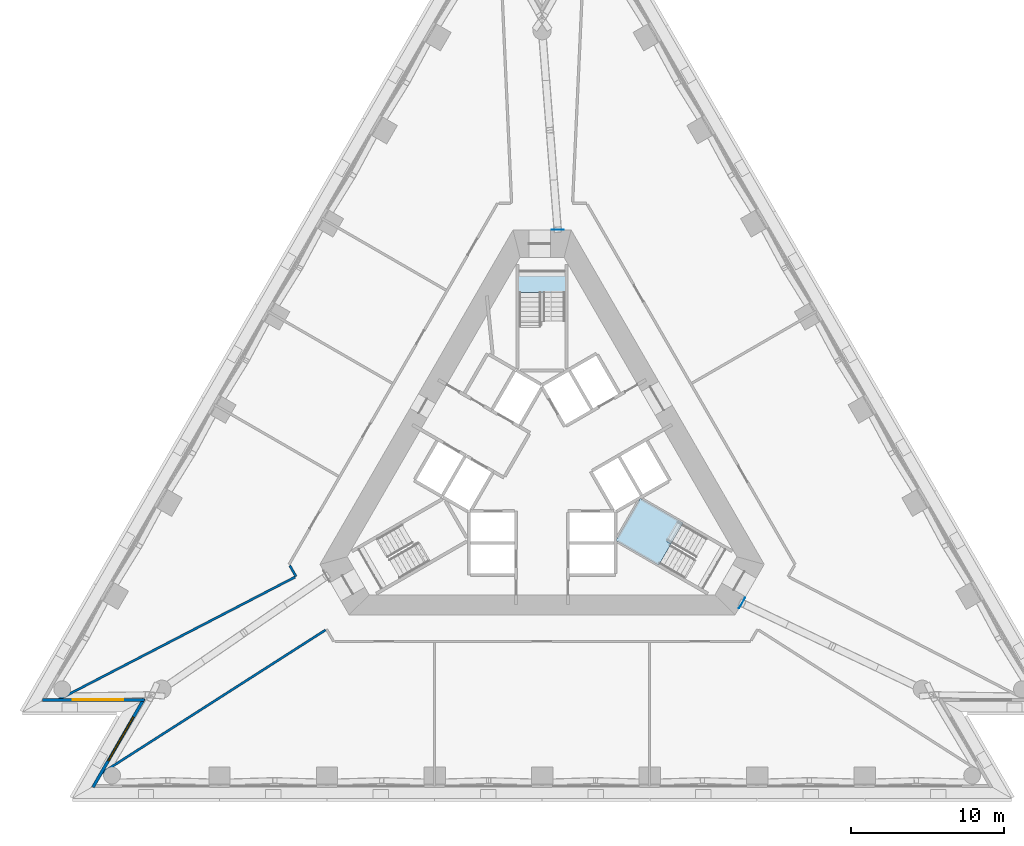
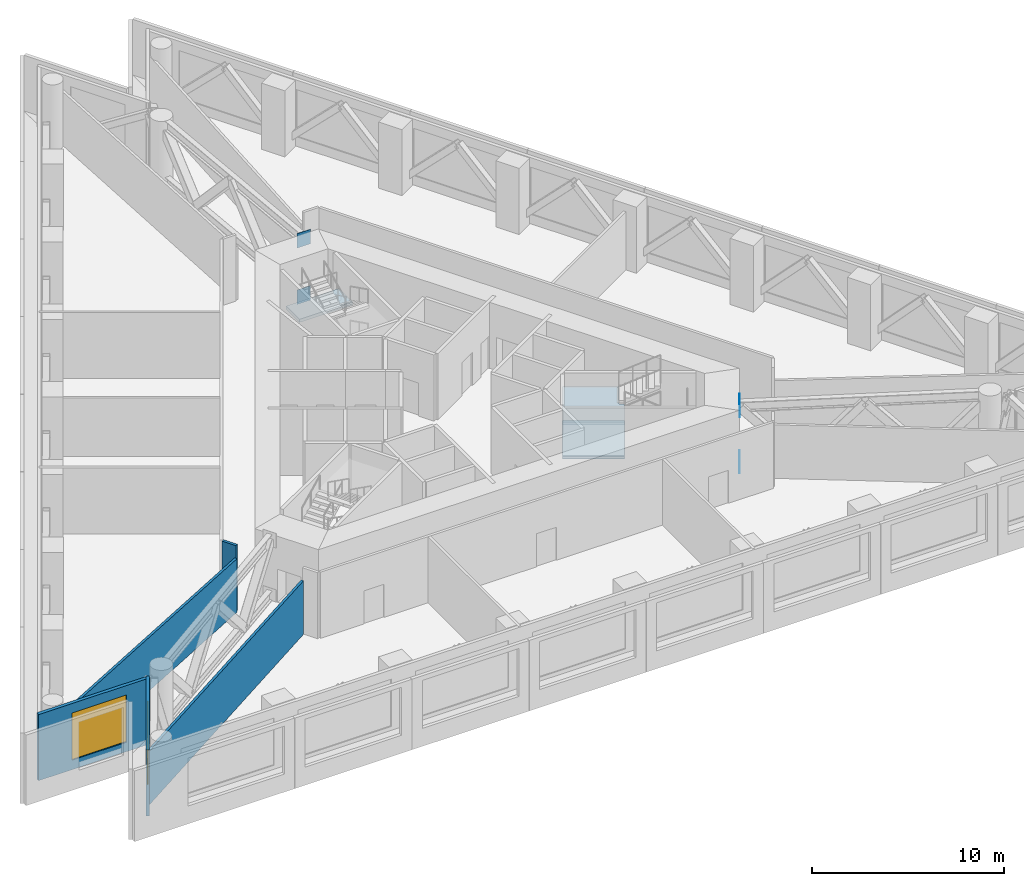
# One storey, part 5 of 12: 5 walls, 4 plates, 3 slabs, 2 windows, 2 openings, 2 elements without a shape of their own.
"""IFC4 building model written with IfcOpenShell, lengths in metres."""

from ifc_helpers import new_model, si_unit, direction, frame, frame_2d, origin, origin_2d, place, context, subcontext, project, spatial, polyline, rectangle, outline, extrude, material, layer, layer_set, layer_usage, type_object, element, fill, aggregate, save


model = new_model("IFC4")

# Units and contexts
model_context = context("Model", 3, precision=1e-05, world=origin(), true_north=direction((0.0, 1.0)))
body_context = subcontext(model_context, "Body", "Model", "MODEL_VIEW")
ifc_project = project(units=[si_unit("LENGTHUNIT", "METRE"), si_unit("AREAUNIT", "SQUARE_METRE"), si_unit("VOLUMEUNIT", "CUBIC_METRE"), si_unit("PLANEANGLEUNIT", "RADIAN"), si_unit("MASSUNIT", "GRAM", prefix="KILO")], contexts=[model_context])

# Site, building, storey
site_placement = place(None, origin())
site = spatial("IfcSite", under=ifc_project, at=site_placement, CompositionType="ELEMENT")
building_placement = place(site_placement, origin())
building = spatial("IfcBuilding", under=site, at=building_placement, Name="Triada Interchange Tower", CompositionType="ELEMENT")
storey_placement = place(building_placement, frame((0.0, 0.0, 99.800048828125)))
storey = spatial("IfcBuildingStorey", under=building, at=storey_placement, Name="L22", CompositionType="ELEMENT", Elevation=99.800048828125)

# Plates
ifc_material_1 = material(Name="Steel S460M", Category="steel")
ifc_layer_1 = layer(ifc_material_1, 0.01806640625)
ifc_layer_set_1 = layer_set([ifc_layer_1], Name="Outrigger end plate 18")
plate_type = type_object("IfcPlateType", Name="Outrigger end plate 18", PredefinedType="SHEET", material=ifc_layer_set_1)
for number, where, z_axis, x_axis, name in (
    (1, (1.02099609375, 15.708984375, -0.14990234375), (0.0, 0.0, 1.0), (0.0, 1.0, 0.0), "Outrigger end plate N bottom L22"),
    (2, (1.02099609375, 15.708984375, 3.429931640625), (0.0, 0.0, 1.0), (0.0, 1.0, 0.0), "Outrigger end plate N top L22"),
    (3, (13.093994140625, -8.738037109375, -0.14990234375), (0.0, 0.0, 1.0), (0.866025403784, -0.5, 0.0), "Outrigger end plate SE bottom L22"),
    (4, (13.093994140625, -8.738037109375, 3.429931640625), (0.0, 0.0, 1.0), (0.866025403784, -0.5, 0.0), "Outrigger end plate SE top L22"),
):
    element("IfcPlate", number, at=place(storey_placement, frame(where, z_axis=z_axis, x_axis=x_axis)), inside=storey, type_object=plate_type, Name=name, PredefinedType="SHEET", context=body_context, shape_type="SweptSolid", body=[
        extrude(rectangle(XDim=0.01806640625, YDim=0.800048828125, at=origin_2d()), origin(), (0.0, 0.0, 1.0), 0.919921875),
    ])

# Stair, slab
ifc_material_2 = material(Name="Concrete C35/45", Category="concrete")
stair_type = type_object("IfcStairType", Name="HALF TURN STAIR 1400", PredefinedType="HALF_TURN_STAIR", material=ifc_material_2)
stair_1_placement = place(storey_placement, origin())
stair_1 = element("IfcStair", 5, at=stair_1_placement, inside=storey, type_object=stair_type, Name="Exit stair S22-1", PredefinedType="HALF_TURN_STAIR")
ifc_layer_2 = layer(ifc_material_2, 0.199951171875)
ifc_layer_set_2 = layer_set([ifc_layer_2], Name="STAIR LANDING 200")
slab_type = type_object("IfcSlabType", Name="STAIR LANDING 200", PredefinedType="LANDING", material=ifc_layer_set_2)
slab_1_placement = place(storey_placement, frame((0.0, 0.0, 1.972412109375)))
slab_1 = element("IfcSlab", 6, at=slab_1_placement, type_object=slab_type, Name="S22-1 landing 3", PredefinedType="LANDING", context=body_context, shape_type="SweptSolid", body=[
    extrude(outline(polyline([(1.60009765625, 11.60009765625), (1.60009765625, 13.0), (-1.60009765625, 13.0), (-1.60009765625, 11.60009765625), (1.60009765625, 11.60009765625)])), origin(), (0.0, 0.0, 1.0), 0.199951171875),
])
aggregate(stair_1, [slab_1])

# Stair, slabs
stair_2_placement = place(storey_placement, origin())
stair_2 = element("IfcStair", 7, at=stair_2_placement, inside=storey, type_object=stair_type, Name="Exit stair S22-3", PredefinedType="HALF_TURN_STAIR")
slab_2_placement = place(storey_placement, frame((0.0, 0.0, 0.88623046875)))
slab_2 = element("IfcSlab", 8, at=slab_2_placement, type_object=slab_type, Name="S22-3 landing 1", PredefinedType="LANDING", context=body_context, shape_type="SweptSolid", body=[
    extrude(outline(polyline([(4.8291015625, -4.635986328125), (7.635009765625, -6.256103515625), (9.235107421875, -3.48388671875), (6.428955078125, -1.864013671875), (4.8291015625, -4.635986328125)])), origin(), (0.0, 0.0, 1.0), 0.199951171875),
])
slab_3_placement = place(storey_placement, frame((0.0, 0.0, 3.05859375)))
slab_3 = element("IfcSlab", 9, at=slab_3_placement, type_object=slab_type, Name="S22-3 landing 2", PredefinedType="LANDING", context=body_context, shape_type="SweptSolid", body=[
    extrude(outline(polyline([(4.8291015625, -4.635986328125), (7.635009765625, -6.256103515625), (8.43505859375, -4.8701171875), (8.1669921875, -4.715087890625), (8.967041015625, -3.3291015625), (6.428955078125, -1.864013671875), (4.8291015625, -4.635986328125)])), origin(), (0.0, 0.0, 1.0), 0.199951171875),
])
aggregate(stair_2, [slab_2, slab_3])

# Wall, opening, window
ifc_material_3 = material(Name="Cement board")
ifc_layer_3 = layer(ifc_material_3, 0.02001953125, Name="Cement board cladding")
ifc_material_4 = material(Name="Sheathing board")
ifc_layer_4 = layer(ifc_material_4, 0.014892578125, Name="Sheathing board")
ifc_material_5 = material(Name="Mineral wool")
ifc_layer_5 = layer(ifc_material_5, 0.14990234375, Name="Mineral wool between steel studs")
ifc_material_6 = material(Name="Gypsum board")
ifc_layer_6 = layer(ifc_material_6, 0.014892578125, Name="Plasterboard lining")
ifc_layer_set_3 = layer_set([ifc_layer_3, ifc_layer_4, ifc_layer_5, ifc_layer_6], Name="External wall 200")
ifc_layer_usage = layer_usage(ifc_layer_set_3, "AXIS2", "POSITIVE", -0.10009765625)
wall_type_1 = type_object("IfcWallType", Name="External wall 200", PredefinedType="ELEMENTEDWALL", material=ifc_layer_set_3)
wall_1_placement = place(storey_placement, frame((-32.72802734375, -15.076904296875, 0.0), z_axis=(0.0, 0.0, 1.0), x_axis=(1.0, 0.0, 0.0)))
wall_1 = element("IfcWall", 10, at=wall_1_placement, inside=storey, type_object=wall_type_1, material=ifc_layer_usage, Name="External wall L22 SW-1", PredefinedType="ELEMENTEDWALL", context=body_context, shape_type="SweptSolid", body=[
    extrude(rectangle(XDim=6.68408203125, YDim=0.199951171875, at=frame_2d((3.342041015625, 0.0))), origin(), (0.0, 0.0, 1.0), 4.199951171875),
])
opening_1_placement = place(wall_1_placement, frame((1.989990234375, 0.0, 0.60009765625)))
opening_1 = element("IfcOpeningElement", 11, at=opening_1_placement, cuts=wall_1, Name="Opening LA09", PredefinedType="OPENING", context=body_context, shape_type="SweptSolid", body=[
    extrude(rectangle(XDim=3.300048828125, YDim=3.0, at=frame_2d((1.64990234375, 1.5))), frame((0.0, 0.10986328125, 0.0), z_axis=(0.0, -1.0, 0.0), x_axis=(1.0, 0.0, 0.0)), (0.0, 0.0, 1.0), 0.219970703125),
])
ifc_material_7 = material(Name="Aluminium louvre", Category="aluminium")
window_type = type_object("IfcWindowType", Name="Plant louvre A pocket", PartitioningType="SINGLE_PANEL", PredefinedType="WINDOW", material=ifc_material_7)
window_1_placement = place(opening_1_placement, origin())
window_1 = element("IfcWindow", 12, at=window_1_placement, inside=storey, type_object=window_type, Name="Louvre L22 SW-1 1", OverallHeight=3.0, OverallWidth=3.300048828125, PartitioningType="SINGLE_PANEL", PredefinedType="WINDOW", context=body_context, shape_type="SweptSolid", body=[
    extrude(rectangle(XDim=3.300048828125, YDim=3.0, at=frame_2d((1.64990234375, 1.5))), frame((0.0, 0.030029296875, 0.0), z_axis=(0.0, -1.0, 0.0), x_axis=(1.0, 0.0, 0.0)), (0.0, 0.0, 1.0), 0.06005859375),
])
fill(opening_1, window_1)

wall_2_placement = place(storey_placement, frame((-26.069091796875, -14.9990234375, 0.0), z_axis=(0.0, 0.0, 1.0), x_axis=(-0.499941663064, -0.866059082011, 0.0)))
wall_2 = element("IfcWall", 13, at=wall_2_placement, inside=storey, type_object=wall_type_1, material=ifc_layer_usage, Name="External wall L22 SW-2", PredefinedType="ELEMENTEDWALL", context=body_context, shape_type="SweptSolid", body=[
    extrude(rectangle(XDim=6.684326171875, YDim=0.199951171875, at=frame_2d((3.34228515625, 0.0))), origin(), (0.0, 0.0, 1.0), 4.199951171875),
])
opening_2_placement = place(wall_2_placement, frame((1.389892578125, 0.0, 0.60009765625)))
opening_2 = element("IfcOpeningElement", 14, at=opening_2_placement, cuts=wall_2, Name="Opening LA10", PredefinedType="OPENING", context=body_context, shape_type="SweptSolid", body=[
    extrude(rectangle(XDim=3.300048828125, YDim=3.0, at=frame_2d((1.64990234375, 1.5))), frame((0.0, 0.10986328125, 0.0), z_axis=(0.0, -1.0, 0.0), x_axis=(1.0, 0.0, 0.0)), (0.0, 0.0, 1.0), 0.219970703125),
])
window_2_placement = place(opening_2_placement, origin())
window_2 = element("IfcWindow", 15, at=window_2_placement, inside=storey, type_object=window_type, Name="Louvre L22 SW-2 1", OverallHeight=3.0, OverallWidth=3.300048828125, PartitioningType="SINGLE_PANEL", PredefinedType="WINDOW", context=body_context, shape_type="SweptSolid", body=[
    extrude(rectangle(XDim=3.300048828125, YDim=3.0, at=frame_2d((1.64990234375, 1.5))), frame((0.0, 0.030029296875, 0.0), z_axis=(0.0, -1.0, 0.0), x_axis=(1.0, 0.0, 0.0)), (0.0, 0.0, 1.0), 0.06005859375),
])
fill(opening_2, window_2)

# Walls
ifc_material_8 = material(Name="Gypsum board partition")
ifc_layer_7 = layer(ifc_material_8, 0.14990234375)
ifc_layer_set_4 = layer_set([ifc_layer_7], Name="PARTITION 150 EI 180")
wall_type_2 = type_object("IfcWallType", Name="PARTITION 150 EI 180", PredefinedType="PARTITIONING", material=ifc_layer_set_4)
wall_3_placement = place(storey_placement, frame((-16.527099609375, -6.27490234375, 0.0), z_axis=(0.0, 0.0, 1.0), x_axis=(0.500179786662, -0.865921579021, 0.0)))
element("IfcWall", 16, at=wall_3_placement, inside=storey, type_object=wall_type_2, Name="Wall L22 2", PredefinedType="PARTITIONING", context=body_context, shape_type="SweptSolid", body=[
    extrude(rectangle(XDim=0.831787109375, YDim=0.14990234375, at=frame_2d((0.416015625, 0.0))), origin(), (0.0, 0.0, 1.0), 4.199951171875),
])
wall_4_placement = place(storey_placement, frame((-31.712890625, -15.076904296875, 0.0), z_axis=(0.0, 0.0, 1.0), x_axis=(0.887959302536, 0.459922033654, 0.0)))
element("IfcWall", 17, at=wall_4_placement, inside=storey, type_object=wall_type_2, Name="Wall L22 4", PredefinedType="PARTITIONING", context=body_context, shape_type="SweptSolid", body=[
    extrude(rectangle(XDim=17.49609375, YDim=0.14990234375, at=frame_2d((8.748046875, 0.0))), origin(), (0.0, 0.0, 1.0), 3.39990234375),
])
wall_5_placement = place(storey_placement, frame((-28.906982421875, -19.9150390625, 0.0), z_axis=(0.0, 0.0, 1.0), x_axis=(0.842386762203, 0.53887340152, 0.0)))
element("IfcWall", 18, at=wall_5_placement, inside=storey, type_object=wall_type_2, Name="Wall L22 5", PredefinedType="PARTITIONING", context=body_context, shape_type="SweptSolid", body=[
    extrude(rectangle(XDim=17.48486328125, YDim=0.14990234375, at=frame_2d((8.742431640625, 0.0))), origin(), (0.0, 0.0, 1.0), 3.39990234375),
])

save(model, "model.ifc")
